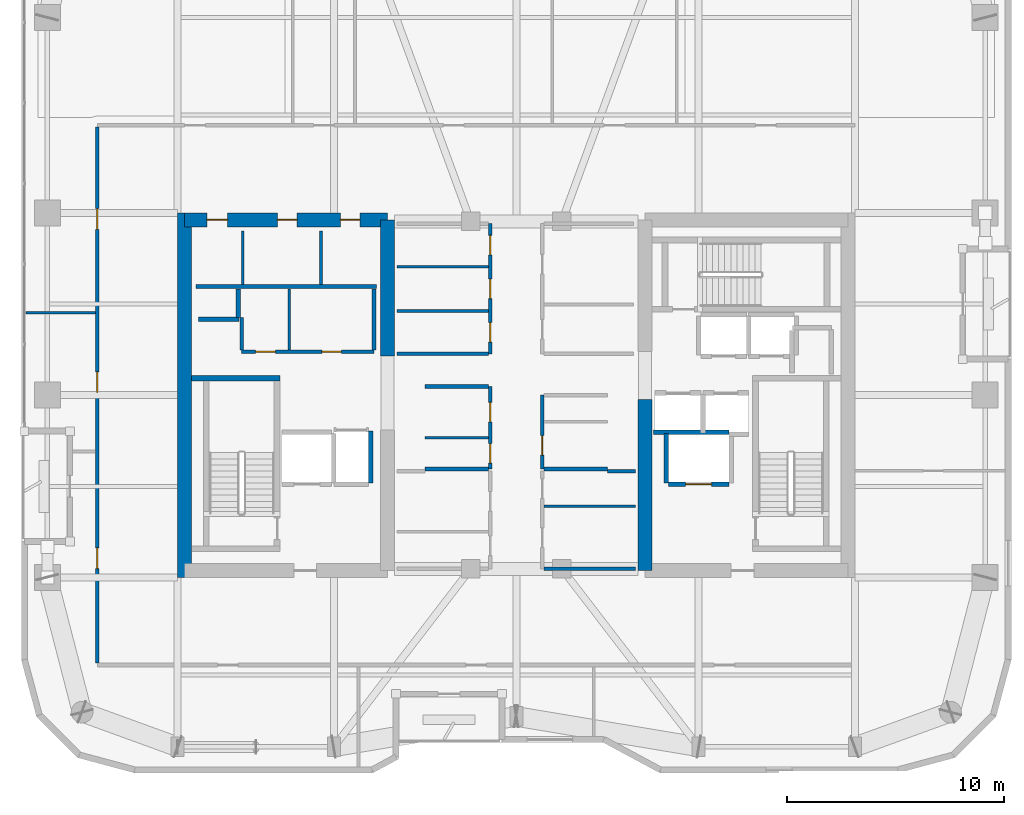
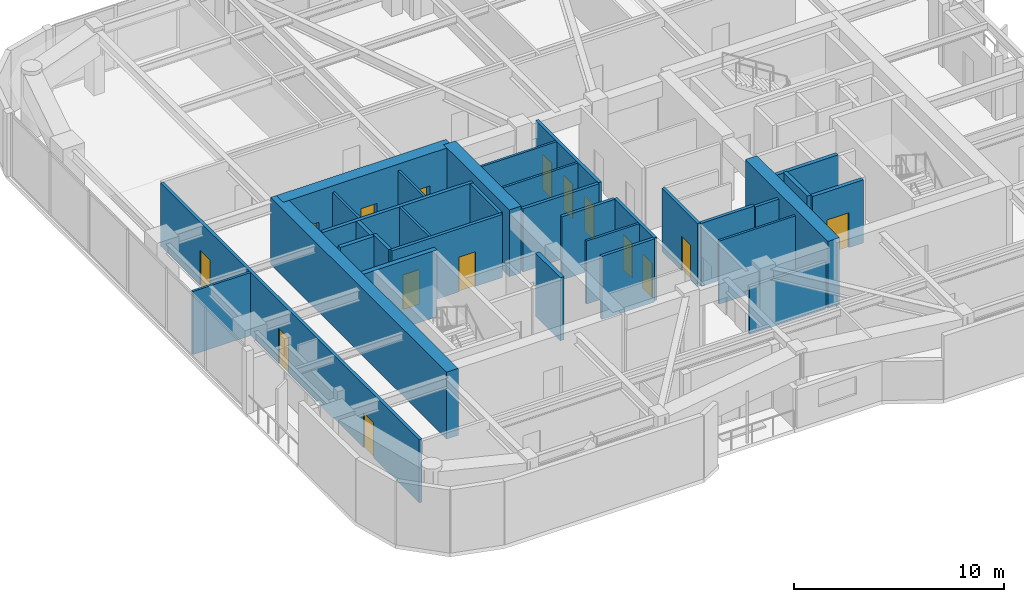
# One storey, part 16 of 21: 33 walls, 15 doors, 15 openings.
"""IFC4 building model written with IfcOpenShell, lengths in metres."""

from ifc_helpers import new_model, si_unit, direction, frame, frame_2d, origin, place, context, subcontext, project, spatial, rectangle, extrude, material, layer, layer_set, type_object, element, fill, save


model = new_model("IFC4")

# Units and contexts
model_context = context("Model", 3, precision=1e-05, world=origin(), true_north=direction((0.0, 1.0)))
body_context = subcontext(model_context, "Body", "Model", "MODEL_VIEW")
ifc_project = project(units=[si_unit("LENGTHUNIT", "METRE"), si_unit("AREAUNIT", "SQUARE_METRE"), si_unit("VOLUMEUNIT", "CUBIC_METRE"), si_unit("PLANEANGLEUNIT", "RADIAN"), si_unit("MASSUNIT", "GRAM", prefix="KILO")], contexts=[model_context])

# Site, building, storey
site_placement = place(None, origin())
site = spatial("IfcSite", under=ifc_project, at=site_placement, CompositionType="ELEMENT")
building_placement = place(site_placement, origin())
building = spatial("IfcBuilding", under=site, at=building_placement, Name="Kiyonajd Concourse Tower", CompositionType="ELEMENT")
storey_placement = place(building_placement, frame((0.0, 0.0, 223.199951171875)))
storey = spatial("IfcBuildingStorey", under=building, at=storey_placement, Name="L56", CompositionType="ELEMENT", Elevation=223.199951171875)

# Walls
ifc_material_1 = material(Name="Concrete C60/75", Category="concrete")
ifc_layer_1 = layer(ifc_material_1, 0.64990234375)
ifc_layer_set_1 = layer_set([ifc_layer_1], Name="Concrete C60/75")
wall_type_1 = type_object("IfcWallType", Name="WL-CORE-650", PredefinedType="SHEAR", material=ifc_layer_set_1)
wall_1_placement = place(storey_placement, frame((32.72509765625, 27.60009765625, 0.0), z_axis=(0.0, 0.0, 1.0), x_axis=(0.0, 1.0, 0.0)))
element("IfcWall", 1, at=wall_1_placement, inside=storey, type_object=wall_type_1, Name="L56 West Core Outer Shear Wall", PredefinedType="SHEAR", context=body_context, shape_type="SweptSolid", body=[
    extrude(rectangle(XDim=16.7998046875, YDim=0.64990234375, at=frame_2d((8.39990234375, 0.0))), origin(), (0.0, 0.0, 1.0), 3.900146484375),
])
wall_2_placement = place(storey_placement, frame((42.074951171875, 37.800048828125, 0.0), z_axis=(0.0, 0.0, 1.0), x_axis=(0.0, 1.0, 0.0)))
element("IfcWall", 2, at=wall_2_placement, inside=storey, type_object=wall_type_1, Name="L56 West Core Inner North Shear Wall", PredefinedType="SHEAR", context=body_context, shape_type="SweptSolid", body=[
    extrude(rectangle(XDim=6.27490234375, YDim=0.64990234375, at=frame_2d((3.137451171875, 0.0))), origin(), (0.0, 0.0, 1.0), 3.900146484375),
])

# Wall, openings, doors
wall_3_placement = place(storey_placement, frame((32.72509765625, 44.074951171875, 0.0), z_axis=(0.0, 0.0, 1.0), x_axis=(1.0, 0.0, 0.0)))
wall_3 = element("IfcWall", 3, at=wall_3_placement, inside=storey, type_object=wall_type_1, Name="L56 West Core North Shear Wall", PredefinedType="SHEAR", context=body_context, shape_type="SweptSolid", body=[
    extrude(rectangle(XDim=9.349853515625, YDim=0.64990234375, at=frame_2d((4.6748046875, 0.0))), origin(), (0.0, 0.0, 1.0), 3.900146484375),
])
opening_1_placement = place(wall_3_placement, frame((1.02490234375, 0.0, 0.0)))
opening_1 = element("IfcOpeningElement", 4, at=opening_1_placement, cuts=wall_3, Name="Opening DI1", PredefinedType="OPENING", context=body_context, shape_type="SweptSolid", body=[
    extrude(rectangle(XDim=0.949951171875, YDim=2.0400390625, at=frame_2d((0.47509765625, 1.02001953125))), frame((0.0, 0.3349609375, 0.0), z_axis=(0.0, -1.0, 0.0), x_axis=(1.0, 0.0, 0.0)), (0.0, 0.0, 1.0), 0.669921875),
])
opening_2_placement = place(wall_3_placement, frame((4.27490234375, 0.0, 0.0)))
opening_2 = element("IfcOpeningElement", 5, at=opening_2_placement, cuts=wall_3, Name="Opening DI2", PredefinedType="OPENING", context=body_context, shape_type="SweptSolid", body=[
    extrude(rectangle(XDim=0.89990234375, YDim=2.02001953125, at=frame_2d((0.449951171875, 1.010009765625))), frame((0.0, 0.3349609375, 0.0), z_axis=(0.0, -1.0, 0.0), x_axis=(1.0, 0.0, 0.0)), (0.0, 0.0, 1.0), 0.669921875),
])
opening_3_placement = place(wall_3_placement, frame((7.175048828125, 0.0, 0.0)))
opening_3 = element("IfcOpeningElement", 6, at=opening_3_placement, cuts=wall_3, Name="Opening DI2", PredefinedType="OPENING", context=body_context, shape_type="SweptSolid", body=[
    extrude(rectangle(XDim=0.89990234375, YDim=2.02001953125, at=frame_2d((0.449951171875, 1.010009765625))), frame((0.0, 0.3349609375, 0.0), z_axis=(0.0, -1.0, 0.0), x_axis=(1.0, 0.0, 0.0)), (0.0, 0.0, 1.0), 0.669921875),
])
ifc_material_2 = material(Name="Natural Oak Acoustic Timber Veneer", Category="wood")
door_type_1 = type_object("IfcDoorType", Name="DR-INT-900", OperationType="NOTDEFINED", PredefinedType="DOOR", material=ifc_material_2)
door_1_placement = place(opening_2_placement, origin())
door_1 = element("IfcDoor", 7, at=door_1_placement, inside=storey, type_object=door_type_1, Name="L56 Male Restroom Door", OperationType="SINGLE_SWING_RIGHT", OverallHeight=2.02001953125, OverallWidth=0.89990234375, PredefinedType="DOOR", context=body_context, shape_type="SweptSolid", body=[
    extrude(rectangle(XDim=0.89990234375, YDim=2.02001953125, at=frame_2d((0.449951171875, 1.010009765625))), frame((0.0, 0.02490234375, 0.0), z_axis=(0.0, -1.0, 0.0), x_axis=(1.0, 0.0, 0.0)), (0.0, 0.0, 1.0), 0.050048828125),
])
fill(opening_2, door_1)
door_2_placement = place(opening_3_placement, origin())
door_2 = element("IfcDoor", 8, at=door_2_placement, inside=storey, type_object=door_type_1, Name="L56 Female Restroom Door", OperationType="SINGLE_SWING_LEFT", OverallHeight=2.02001953125, OverallWidth=0.89990234375, PredefinedType="DOOR", context=body_context, shape_type="SweptSolid", body=[
    extrude(rectangle(XDim=0.89990234375, YDim=2.02001953125, at=frame_2d((0.449951171875, 1.010009765625))), frame((0.0, 0.02490234375, 0.0), z_axis=(0.0, -1.0, 0.0), x_axis=(1.0, 0.0, 0.0)), (0.0, 0.0, 1.0), 0.050048828125),
])
fill(opening_3, door_2)
door_type_2 = type_object("IfcDoorType", Name="DR-INT-950", OperationType="NOTDEFINED", PredefinedType="DOOR", material=ifc_material_2)
door_3_placement = place(opening_1_placement, origin())
door_3 = element("IfcDoor", 9, at=door_3_placement, inside=storey, type_object=door_type_2, Name="L56 Single User Accessible WC Door", OperationType="SINGLE_SWING_LEFT", OverallHeight=2.0400390625, OverallWidth=0.949951171875, PredefinedType="DOOR", context=body_context, shape_type="SweptSolid", body=[
    extrude(rectangle(XDim=0.949951171875, YDim=2.0400390625, at=frame_2d((0.47509765625, 1.02001953125))), frame((0.0, 0.02490234375, 0.0), z_axis=(0.0, -1.0, 0.0), x_axis=(1.0, 0.0, 0.0)), (0.0, 0.0, 1.0), 0.050048828125),
])
fill(opening_1, door_3)

# Walls
wall_4_placement = place(storey_placement, frame((53.925048828125, 27.925048828125, 0.0), z_axis=(0.0, 0.0, 1.0), x_axis=(0.0, 1.0, 0.0)))
element("IfcWall", 10, at=wall_4_placement, inside=storey, type_object=wall_type_1, Name="L56 East Core Inner South Shear Wall", PredefinedType="SHEAR", context=body_context, shape_type="SweptSolid", body=[
    extrude(rectangle(XDim=7.875, YDim=0.64990234375, at=frame_2d((3.9375, 0.0))), origin(), (0.0, 0.0, 1.0), 3.900146484375),
])
ifc_material_3 = material(Name="Gypsum Board on Cold-Formed Steel Stud", Category="steel")
ifc_layer_2 = layer(ifc_material_3, 0.125)
ifc_layer_set_2 = layer_set([ifc_layer_2], Name="Gypsum Board on Cold-Formed Steel Stud")
wall_type_2 = type_object("IfcWallType", Name="WL-PART-125", PredefinedType="PARTITIONING", material=ifc_layer_set_2)
for number, where, z_axis, x_axis, name in (
    (11, (35.39990234375, 41.094970703125, 0.0), (0.0, 0.0, 1.0), (0.0, 1.0, 0.0), "L56 Interior Partition Wall"),
    (12, (39.0, 41.094970703125, 0.0), (0.0, 0.0, 1.0), (0.0, 1.0, 0.0), "L56 Interior Partition Wall"),
):
    element("IfcWall", number, at=place(storey_placement, frame(where, z_axis=z_axis, x_axis=x_axis)), inside=storey, type_object=wall_type_2, Name=name, PredefinedType="PARTITIONING", context=body_context, shape_type="SweptSolid", body=[
        extrude(rectangle(XDim=2.455078125, YDim=0.125, at=frame_2d((1.2275390625, 0.0))), origin(), (0.0, 0.0, 1.0), 3.679931640625),
    ])
wall_5_placement = place(storey_placement, frame((37.5458984375, 38.0869140625, 0.0), z_axis=(0.0, 0.0, 1.0), x_axis=(0.0, 1.0, 0.0)))
element("IfcWall", 13, at=wall_5_placement, inside=storey, type_object=wall_type_2, Name="L56 Interior Partition Wall", PredefinedType="PARTITIONING", context=body_context, shape_type="SweptSolid", body=[
    extrude(rectangle(XDim=2.81298828125, YDim=0.125, at=frame_2d((1.406494140625, 0.0))), origin(), (0.0, 0.0, 1.0), 3.679931640625),
])
wall_6_placement = place(storey_placement, frame((43.800048828125, 34.0439453125, 0.0), z_axis=(0.0, 0.0, 1.0), x_axis=(1.0, 0.0, 0.0)))
element("IfcWall", 14, at=wall_6_placement, inside=storey, type_object=wall_type_2, Name="L56 Interior Partition Wall", PredefinedType="PARTITIONING", context=body_context, shape_type="SweptSolid", body=[
    extrude(rectangle(XDim=2.912841796875, YDim=0.125, at=frame_2d((1.45654296875, 0.0))), origin(), (0.0, 0.0, 1.0), 3.679931640625),
])
for number, where, z_axis, x_axis, name in (
    (15, (49.287109375, 30.8798828125, 0.0), (0.0, 0.0, 1.0), (1.0, 0.0, 0.0), "L56 Interior Partition Wall"),
    (16, (42.5, 39.8798828125, 0.0), (0.0, 0.0, 1.0), (1.0, 0.0, 0.0), "L56 Interior Partition Wall"),
    (17, (42.5, 41.919921875, 0.0), (0.0, 0.0, 1.0), (1.0, 0.0, 0.0), "L56 Interior Partition Wall"),
):
    element("IfcWall", number, at=place(storey_placement, frame(where, z_axis=z_axis, x_axis=x_axis)), inside=storey, type_object=wall_type_2, Name=name, PredefinedType="PARTITIONING", context=body_context, shape_type="SweptSolid", body=[
        extrude(rectangle(XDim=4.212890625, YDim=0.125, at=frame_2d((2.1064453125, 0.0))), origin(), (0.0, 0.0, 1.0), 3.679931640625),
    ])
wall_7_placement = place(storey_placement, frame((25.425048828125, 39.800048828125, 0.0), z_axis=(0.0, 0.0, 1.0), x_axis=(1.0, 0.0, 0.0)))
element("IfcWall", 18, at=wall_7_placement, inside=storey, type_object=wall_type_2, Name="L56 Interior Partition Wall", PredefinedType="PARTITIONING", context=body_context, shape_type="SweptSolid", body=[
    extrude(rectangle(XDim=3.18798828125, YDim=0.125, at=frame_2d((1.593994140625, 0.0))), origin(), (0.0, 0.0, 1.0), 3.679931640625),
])
ifc_layer_3 = layer(ifc_material_3, 0.18994140625)
ifc_layer_set_3 = layer_set([ifc_layer_3], Name="Gypsum Board on Cold-Formed Steel Stud")
wall_type_3 = type_object("IfcWallType", Name="WL-PLMB-190", PredefinedType="PLUMBINGWALL", material=ifc_layer_set_3)
wall_8_placement = place(storey_placement, frame((33.25, 41.0, 0.0), z_axis=(0.0, 0.0, 1.0), x_axis=(1.0, 0.0, 0.0)))
element("IfcWall", 19, at=wall_8_placement, inside=storey, type_object=wall_type_3, Name="L56 Interior Partition Wall", PredefinedType="PLUMBINGWALL", context=body_context, shape_type="SweptSolid", body=[
    extrude(rectangle(XDim=8.300048828125, YDim=0.18994140625, at=frame_2d((4.14990234375, 0.0))), origin(), (0.0, 0.0, 1.0), 3.679931640625),
])
ifc_layer_4 = layer(ifc_material_3, 0.2099609375)
ifc_layer_set_4 = layer_set([ifc_layer_4], Name="Gypsum Board on Cold-Formed Steel Stud")
wall_type_4 = type_object("IfcWallType", Name="WL-SHAFT-210", PredefinedType="PARTITIONING", material=ifc_layer_set_4)
wall_9_placement = place(storey_placement, frame((33.360107421875, 39.5, 0.0), z_axis=(0.0, 0.0, 1.0), x_axis=(1.0, 0.0, 0.0)))
element("IfcWall", 20, at=wall_9_placement, inside=storey, type_object=wall_type_4, Name="L56 Shaft Enclosure Wall", PredefinedType="PARTITIONING", context=body_context, shape_type="SweptSolid", body=[
    extrude(rectangle(XDim=1.85986328125, YDim=0.2099609375, at=frame_2d((0.929931640625, 0.0))), origin(), (0.0, 0.0, 1.0), 3.679931640625),
])
wall_10_placement = place(storey_placement, frame((35.199951171875, 39.580078125, 0.0), z_axis=(0.0, 0.0, 1.0), x_axis=(0.0, 1.0, 0.0)))
element("IfcWall", 21, at=wall_10_placement, inside=storey, type_object=wall_type_4, Name="L56 Shaft Enclosure Wall", PredefinedType="PARTITIONING", context=body_context, shape_type="SweptSolid", body=[
    extrude(rectangle(XDim=1.31982421875, YDim=0.2099609375, at=frame_2d((0.659912109375, 0.0))), origin(), (0.0, 0.0, 1.0), 3.679931640625),
])

# Wall, opening, door
wall_11_placement = place(storey_placement, frame((55.0, 31.89990234375, 0.0), z_axis=(0.0, 0.0, 1.0), x_axis=(1.0, 0.0, 0.0)))
wall_11 = element("IfcWall", 22, at=wall_11_placement, inside=storey, type_object=wall_type_4, Name="L56 Shaft Enclosure Wall", PredefinedType="PARTITIONING", context=body_context, shape_type="SweptSolid", body=[
    extrude(rectangle(XDim=2.800048828125, YDim=0.2099609375, at=frame_2d((1.39990234375, 0.0))), origin(), (0.0, 0.0, 1.0), 3.679931640625),
])
opening_4_placement = place(wall_11_placement, frame((0.800048828125, 0.0, 0.0)))
opening_4 = element("IfcOpeningElement", 23, at=opening_4_placement, cuts=wall_11, Name="Opening LD2", PredefinedType="OPENING", context=body_context, shape_type="SweptSolid", body=[
    extrude(rectangle(XDim=1.199951171875, YDim=2.0400390625, at=frame_2d((0.60009765625, 1.02001953125))), frame((0.0, 0.114990234375, 0.0), z_axis=(0.0, -1.0, 0.0), x_axis=(1.0, 0.0, 0.0)), (0.0, 0.0, 1.0), 0.22998046875),
])
ifc_material_4 = material(Name="Brushed Stainless Steel Cab Assembly", Category="steel")
door_type_3 = type_object("IfcDoorType", Name="DR-LD-1200", OperationType="DOUBLE_DOOR_SLIDING", PredefinedType="DOOR", material=ifc_material_4)
door_4_placement = place(opening_4_placement, origin())
door_4 = element("IfcDoor", 24, at=door_4_placement, inside=storey, type_object=door_type_3, Name="L56 Lift FFL2 Sliding Landing Door", OperationType="DOUBLE_DOOR_SLIDING", OverallHeight=2.0400390625, OverallWidth=1.199951171875, PredefinedType="DOOR", context=body_context, shape_type="SweptSolid", body=[
    extrude(rectangle(XDim=1.199951171875, YDim=2.0400390625, at=frame_2d((0.60009765625, 1.02001953125))), frame((0.0, 0.02490234375, 0.0), z_axis=(0.0, -1.0, 0.0), x_axis=(1.0, 0.0, 0.0)), (0.0, 0.0, 1.0), 0.050048828125),
])
fill(opening_4, door_4)

# Walls
wall_12_placement = place(storey_placement, frame((54.320068359375, 34.300048828125, 0.0), z_axis=(0.0, 0.0, 1.0), x_axis=(1.0, 0.0, 0.0)))
element("IfcWall", 25, at=wall_12_placement, inside=storey, type_object=wall_type_4, Name="L56 Shaft Enclosure Wall", PredefinedType="PARTITIONING", context=body_context, shape_type="SweptSolid", body=[
    extrude(rectangle(XDim=3.47998046875, YDim=0.2099609375, at=frame_2d((1.739990234375, 0.0))), origin(), (0.0, 0.0, 1.0), 3.679931640625),
])
wall_13_placement = place(storey_placement, frame((54.89990234375, 31.9599609375, 0.0), z_axis=(0.0, 0.0, 1.0), x_axis=(0.0, 1.0, 0.0)))
element("IfcWall", 26, at=wall_13_placement, inside=storey, type_object=wall_type_4, Name="L56 Shaft Enclosure Wall", PredefinedType="PARTITIONING", context=body_context, shape_type="SweptSolid", body=[
    extrude(rectangle(XDim=2.280029296875, YDim=0.2099609375, at=frame_2d((1.14013671875, 0.0))), origin(), (0.0, 0.0, 1.0), 3.679931640625),
])
wall_14_placement = place(storey_placement, frame((41.300048828125, 31.9599609375, 0.0), z_axis=(0.0, 0.0, 1.0), x_axis=(0.0, 1.0, 0.0)))
element("IfcWall", 27, at=wall_14_placement, inside=storey, type_object=wall_type_4, Name="L56 Shaft Enclosure Wall", PredefinedType="PARTITIONING", context=body_context, shape_type="SweptSolid", body=[
    extrude(rectangle(XDim=2.380126953125, YDim=0.2099609375, at=frame_2d((1.18994140625, 0.0))), origin(), (0.0, 0.0, 1.0), 3.679931640625),
])

# Wall, openings, doors
ifc_layer_5 = layer(ifc_material_3, 0.169921875)
ifc_layer_set_5 = layer_set([ifc_layer_5], Name="Gypsum Board on Cold-Formed Steel Stud")
wall_type_5 = type_object("IfcWallType", Name="WL-SMK-170", PredefinedType="PARTITIONING", material=ifc_layer_set_5)
wall_15_placement = place(storey_placement, frame((35.35009765625, 38.0, 0.0), z_axis=(0.0, 0.0, 1.0), x_axis=(1.0, 0.0, 0.0)))
wall_15 = element("IfcWall", 28, at=wall_15_placement, inside=storey, type_object=wall_type_5, Name="L56 Interior Partition Wall", PredefinedType="PARTITIONING", context=body_context, shape_type="SweptSolid", body=[
    extrude(rectangle(XDim=6.099853515625, YDim=0.169921875, at=frame_2d((3.0498046875, 0.0))), origin(), (0.0, 0.0, 1.0), 3.679931640625),
])
opening_5_placement = place(wall_15_placement, frame((0.64794921875, 0.0, 0.0)))
opening_5 = element("IfcOpeningElement", 29, at=opening_5_placement, cuts=wall_15, Name="Opening DI2", PredefinedType="OPENING", context=body_context, shape_type="SweptSolid", body=[
    extrude(rectangle(XDim=0.89990234375, YDim=2.02001953125, at=frame_2d((0.449951171875, 1.010009765625))), frame((0.0, 0.094970703125, 0.0), z_axis=(0.0, -1.0, 0.0), x_axis=(1.0, 0.0, 0.0)), (0.0, 0.0, 1.0), 0.18994140625),
])
opening_6_placement = place(wall_15_placement, frame((3.697998046875, 0.0, 0.0)))
opening_6 = element("IfcOpeningElement", 30, at=opening_6_placement, cuts=wall_15, Name="Opening DI2", PredefinedType="OPENING", context=body_context, shape_type="SweptSolid", body=[
    extrude(rectangle(XDim=0.89990234375, YDim=2.02001953125, at=frame_2d((0.449951171875, 1.010009765625))), frame((0.0, 0.094970703125, 0.0), z_axis=(0.0, -1.0, 0.0), x_axis=(1.0, 0.0, 0.0)), (0.0, 0.0, 1.0), 0.18994140625),
])
door_5_placement = place(opening_5_placement, origin())
door_5 = element("IfcDoor", 31, at=door_5_placement, inside=storey, type_object=door_type_1, Name="L56 Interior Door", OperationType="SINGLE_SWING_RIGHT", OverallHeight=2.02001953125, OverallWidth=0.89990234375, PredefinedType="DOOR", context=body_context, shape_type="SweptSolid", body=[
    extrude(rectangle(XDim=0.89990234375, YDim=2.02001953125, at=frame_2d((0.449951171875, 1.010009765625))), frame((0.0, 0.02490234375, 0.0), z_axis=(0.0, -1.0, 0.0), x_axis=(1.0, 0.0, 0.0)), (0.0, 0.0, 1.0), 0.050048828125),
])
fill(opening_5, door_5)
door_6_placement = place(opening_6_placement, origin())
door_6 = element("IfcDoor", 32, at=door_6_placement, inside=storey, type_object=door_type_1, Name="L56 Interior Door", OperationType="SINGLE_SWING_LEFT", OverallHeight=2.02001953125, OverallWidth=0.89990234375, PredefinedType="DOOR", context=body_context, shape_type="SweptSolid", body=[
    extrude(rectangle(XDim=0.89990234375, YDim=2.02001953125, at=frame_2d((0.449951171875, 1.010009765625))), frame((0.0, 0.02490234375, 0.0), z_axis=(0.0, -1.0, 0.0), x_axis=(1.0, 0.0, 0.0)), (0.0, 0.0, 1.0), 0.050048828125),
])
fill(opening_6, door_6)

# Walls
wall_16_placement = place(storey_placement, frame((35.35009765625, 38.0869140625, 0.0), z_axis=(0.0, 0.0, 1.0), x_axis=(0.0, 1.0, 0.0)))
element("IfcWall", 33, at=wall_16_placement, inside=storey, type_object=wall_type_5, Name="L56 Interior Partition Wall", PredefinedType="PARTITIONING", context=body_context, shape_type="SweptSolid", body=[
    extrude(rectangle(XDim=1.4931640625, YDim=0.169921875, at=frame_2d((0.74658203125, 0.0))), origin(), (0.0, 0.0, 1.0), 3.679931640625),
])
wall_17_placement = place(storey_placement, frame((41.449951171875, 38.0869140625, 0.0), z_axis=(0.0, 0.0, 1.0), x_axis=(0.0, 1.0, 0.0)))
element("IfcWall", 34, at=wall_17_placement, inside=storey, type_object=wall_type_5, Name="L56 Interior Partition Wall", PredefinedType="PARTITIONING", context=body_context, shape_type="SweptSolid", body=[
    extrude(rectangle(XDim=2.81298828125, YDim=0.169921875, at=frame_2d((1.406494140625, 0.0))), origin(), (0.0, 0.0, 1.0), 3.679931640625),
])

# Wall, openings, doors
wall_18_placement = place(storey_placement, frame((46.800048828125, 32.60009765625, 0.0), z_axis=(0.0, 0.0, 1.0), x_axis=(0.0, 1.0, 0.0)))
wall_18 = element("IfcWall", 35, at=wall_18_placement, inside=storey, type_object=wall_type_5, Name="L56 Interior Partition Wall", PredefinedType="PARTITIONING", context=body_context, shape_type="SweptSolid", body=[
    extrude(rectangle(XDim=3.7998046875, YDim=0.169921875, at=frame_2d((1.89990234375, 0.0))), origin(), (0.0, 0.0, 1.0), 3.679931640625),
])
opening_7_placement = place(wall_18_placement, frame((0.27197265625, 0.0, 0.0)))
opening_7 = element("IfcOpeningElement", 36, at=opening_7_placement, cuts=wall_18, Name="Opening DI2", PredefinedType="OPENING", context=body_context, shape_type="SweptSolid", body=[
    extrude(rectangle(XDim=0.89990234375, YDim=2.02001953125, at=frame_2d((0.449951171875, 1.010009765625))), frame((0.0, 0.094970703125, 0.0), z_axis=(0.0, -1.0, 0.0), x_axis=(1.0, 0.0, 0.0)), (0.0, 0.0, 1.0), 0.18994140625),
])
opening_8_placement = place(wall_18_placement, frame((2.172119140625, 0.0, 0.0)))
opening_8 = element("IfcOpeningElement", 37, at=opening_8_placement, cuts=wall_18, Name="Opening DI2", PredefinedType="OPENING", context=body_context, shape_type="SweptSolid", body=[
    extrude(rectangle(XDim=0.89990234375, YDim=2.02001953125, at=frame_2d((0.449951171875, 1.010009765625))), frame((0.0, 0.094970703125, 0.0), z_axis=(0.0, -1.0, 0.0), x_axis=(1.0, 0.0, 0.0)), (0.0, 0.0, 1.0), 0.18994140625),
])
door_7_placement = place(opening_7_placement, origin())
door_7 = element("IfcDoor", 38, at=door_7_placement, inside=storey, type_object=door_type_1, Name="L56 Interior Door", OperationType="SINGLE_SWING_RIGHT", OverallHeight=2.02001953125, OverallWidth=0.89990234375, PredefinedType="DOOR", context=body_context, shape_type="SweptSolid", body=[
    extrude(rectangle(XDim=0.89990234375, YDim=2.02001953125, at=frame_2d((0.449951171875, 1.010009765625))), frame((0.0, 0.02490234375, 0.0), z_axis=(0.0, -1.0, 0.0), x_axis=(1.0, 0.0, 0.0)), (0.0, 0.0, 1.0), 0.050048828125),
])
fill(opening_7, door_7)
door_8_placement = place(opening_8_placement, origin())
door_8 = element("IfcDoor", 39, at=door_8_placement, inside=storey, type_object=door_type_1, Name="L56 Interior Door", OperationType="SINGLE_SWING_LEFT", OverallHeight=2.02001953125, OverallWidth=0.89990234375, PredefinedType="DOOR", context=body_context, shape_type="SweptSolid", body=[
    extrude(rectangle(XDim=0.89990234375, YDim=2.02001953125, at=frame_2d((0.449951171875, 1.010009765625))), frame((0.0, 0.02490234375, 0.0), z_axis=(0.0, -1.0, 0.0), x_axis=(1.0, 0.0, 0.0)), (0.0, 0.0, 1.0), 0.050048828125),
])
fill(opening_8, door_8)

# Walls
for number, where, z_axis, x_axis, name in (
    (40, (43.800048828125, 32.60009765625, 0.0), (0.0, 0.0, 1.0), (1.0, 0.0, 0.0), "L56 Interior Partition Wall"),
    (41, (43.800048828125, 36.39990234375, 0.0), (0.0, 0.0, 1.0), (1.0, 0.0, 0.0), "L56 Interior Partition Wall"),
):
    element("IfcWall", number, at=place(storey_placement, frame(where, z_axis=z_axis, x_axis=x_axis)), inside=storey, type_object=wall_type_5, Name=name, PredefinedType="PARTITIONING", context=body_context, shape_type="SweptSolid", body=[
        extrude(rectangle(XDim=2.912841796875, YDim=0.169921875, at=frame_2d((1.45654296875, 0.0))), origin(), (0.0, 0.0, 1.0), 3.679931640625),
    ])

# Wall, opening, door
wall_19_placement = place(storey_placement, frame((49.199951171875, 32.60009765625, 0.0), z_axis=(0.0, 0.0, 1.0), x_axis=(0.0, 1.0, 0.0)))
wall_19 = element("IfcWall", 42, at=wall_19_placement, inside=storey, type_object=wall_type_5, Name="L56 Interior Partition Wall", PredefinedType="PARTITIONING", context=body_context, shape_type="SweptSolid", body=[
    extrude(rectangle(XDim=3.39990234375, YDim=0.169921875, at=frame_2d((1.699951171875, 0.0))), origin(), (0.0, 0.0, 1.0), 3.679931640625),
])
opening_9_placement = place(wall_19_placement, frame((0.637939453125, 0.0, 0.0)))
opening_9 = element("IfcOpeningElement", 43, at=opening_9_placement, cuts=wall_19, Name="Opening DF4", PredefinedType="OPENING", context=body_context, shape_type="SweptSolid", body=[
    extrude(rectangle(XDim=0.89990234375, YDim=2.02001953125, at=frame_2d((0.449951171875, 1.010009765625))), frame((0.0, 0.094970703125, 0.0), z_axis=(0.0, -1.0, 0.0), x_axis=(1.0, 0.0, 0.0)), (0.0, 0.0, 1.0), 0.18994140625),
])
door_type_4 = type_object("IfcDoorType", Name="DR-FD60-900", OperationType="NOTDEFINED", PredefinedType="DOOR", material=ifc_material_4)
door_9_placement = place(opening_9_placement, origin())
door_9 = element("IfcDoor", 44, at=door_9_placement, inside=storey, type_object=door_type_4, Name="L56 Interior Door", OperationType="SINGLE_SWING_RIGHT", OverallHeight=2.02001953125, OverallWidth=0.89990234375, PredefinedType="DOOR", context=body_context, shape_type="SweptSolid", body=[
    extrude(rectangle(XDim=0.89990234375, YDim=2.02001953125, at=frame_2d((0.449951171875, 1.010009765625))), frame((0.0, 0.02490234375, 0.0), z_axis=(0.0, -1.0, 0.0), x_axis=(1.0, 0.0, 0.0)), (0.0, 0.0, 1.0), 0.050048828125),
])
fill(opening_9, door_9)

# Walls
wall_20_placement = place(storey_placement, frame((49.287109375, 32.60009765625, 0.0), z_axis=(0.0, 0.0, 1.0), x_axis=(1.0, 0.0, 0.0)))
element("IfcWall", 45, at=wall_20_placement, inside=storey, type_object=wall_type_5, Name="L56 Interior Partition Wall", PredefinedType="PARTITIONING", context=body_context, shape_type="SweptSolid", body=[
    extrude(rectangle(XDim=2.912841796875, YDim=0.169921875, at=frame_2d((1.45654296875, 0.0))), origin(), (0.0, 0.0, 1.0), 3.679931640625),
])
wall_21_placement = place(storey_placement, frame((49.287109375, 28.0, 0.0), z_axis=(0.0, 0.0, 1.0), x_axis=(1.0, 0.0, 0.0)))
element("IfcWall", 46, at=wall_21_placement, inside=storey, type_object=wall_type_5, Name="L56 Interior Partition Wall", PredefinedType="PARTITIONING", context=body_context, shape_type="SweptSolid", body=[
    extrude(rectangle(XDim=4.212890625, YDim=0.169921875, at=frame_2d((2.1064453125, 0.0))), origin(), (0.0, 0.0, 1.0), 2.76513671875),
])
wall_22_placement = place(storey_placement, frame((52.199951171875, 32.5, 0.0), z_axis=(0.0, 0.0, 1.0), x_axis=(1.0, 0.0, 0.0)))
element("IfcWall", 47, at=wall_22_placement, inside=storey, type_object=wall_type_5, Name="L56 Interior Partition Wall", PredefinedType="PARTITIONING", context=body_context, shape_type="SweptSolid", body=[
    extrude(rectangle(XDim=1.300048828125, YDim=0.169921875, at=frame_2d((0.64990234375, 0.0))), origin(), (0.0, 0.0, 1.0), 3.679931640625),
])

# Wall, openings, doors
wall_23_placement = place(storey_placement, frame((46.800048828125, 37.89990234375, 0.0), z_axis=(0.0, 0.0, 1.0), x_axis=(0.0, 1.0, 0.0)))
wall_23 = element("IfcWall", 48, at=wall_23_placement, inside=storey, type_object=wall_type_5, Name="L56 Interior Partition Wall", PredefinedType="PARTITIONING", context=body_context, shape_type="SweptSolid", body=[
    extrude(rectangle(XDim=6.0, YDim=0.169921875, at=frame_2d((3.0, 0.0))), origin(), (0.0, 0.0, 1.0), 3.679931640625),
])
opening_10_placement = place(wall_23_placement, frame((0.5400390625, 0.0, 0.0)))
opening_10 = element("IfcOpeningElement", 49, at=opening_10_placement, cuts=wall_23, Name="Opening DI2", PredefinedType="OPENING", context=body_context, shape_type="SweptSolid", body=[
    extrude(rectangle(XDim=0.89990234375, YDim=2.02001953125, at=frame_2d((0.449951171875, 1.010009765625))), frame((0.0, 0.094970703125, 0.0), z_axis=(0.0, -1.0, 0.0), x_axis=(1.0, 0.0, 0.0)), (0.0, 0.0, 1.0), 0.18994140625),
])
opening_11_placement = place(wall_23_placement, frame((2.550048828125, 0.0, 0.0)))
opening_11 = element("IfcOpeningElement", 50, at=opening_11_placement, cuts=wall_23, Name="Opening DI2", PredefinedType="OPENING", context=body_context, shape_type="SweptSolid", body=[
    extrude(rectangle(XDim=0.89990234375, YDim=2.02001953125, at=frame_2d((0.449951171875, 1.010009765625))), frame((0.0, 0.094970703125, 0.0), z_axis=(0.0, -1.0, 0.0), x_axis=(1.0, 0.0, 0.0)), (0.0, 0.0, 1.0), 0.18994140625),
])
opening_12_placement = place(wall_23_placement, frame((4.56005859375, 0.0, 0.0)))
opening_12 = element("IfcOpeningElement", 51, at=opening_12_placement, cuts=wall_23, Name="Opening DI2", PredefinedType="OPENING", context=body_context, shape_type="SweptSolid", body=[
    extrude(rectangle(XDim=0.89990234375, YDim=2.02001953125, at=frame_2d((0.449951171875, 1.010009765625))), frame((0.0, 0.094970703125, 0.0), z_axis=(0.0, -1.0, 0.0), x_axis=(1.0, 0.0, 0.0)), (0.0, 0.0, 1.0), 0.18994140625),
])
door_10_placement = place(opening_10_placement, origin())
door_10 = element("IfcDoor", 52, at=door_10_placement, inside=storey, type_object=door_type_1, Name="L56 Interior Door", OperationType="SINGLE_SWING_LEFT", OverallHeight=2.02001953125, OverallWidth=0.89990234375, PredefinedType="DOOR", context=body_context, shape_type="SweptSolid", body=[
    extrude(rectangle(XDim=0.89990234375, YDim=2.02001953125, at=frame_2d((0.449951171875, 1.010009765625))), frame((0.0, 0.02490234375, 0.0), z_axis=(0.0, -1.0, 0.0), x_axis=(1.0, 0.0, 0.0)), (0.0, 0.0, 1.0), 0.050048828125),
])
fill(opening_10, door_10)
door_11_placement = place(opening_11_placement, origin())
door_11 = element("IfcDoor", 53, at=door_11_placement, inside=storey, type_object=door_type_1, Name="L56 Interior Door", OperationType="SINGLE_SWING_RIGHT", OverallHeight=2.02001953125, OverallWidth=0.89990234375, PredefinedType="DOOR", context=body_context, shape_type="SweptSolid", body=[
    extrude(rectangle(XDim=0.89990234375, YDim=2.02001953125, at=frame_2d((0.449951171875, 1.010009765625))), frame((0.0, 0.02490234375, 0.0), z_axis=(0.0, -1.0, 0.0), x_axis=(1.0, 0.0, 0.0)), (0.0, 0.0, 1.0), 0.050048828125),
])
fill(opening_11, door_11)
door_12_placement = place(opening_12_placement, origin())
door_12 = element("IfcDoor", 54, at=door_12_placement, inside=storey, type_object=door_type_1, Name="L56 Interior Door", OperationType="SINGLE_SWING_LEFT", OverallHeight=2.02001953125, OverallWidth=0.89990234375, PredefinedType="DOOR", context=body_context, shape_type="SweptSolid", body=[
    extrude(rectangle(XDim=0.89990234375, YDim=2.02001953125, at=frame_2d((0.449951171875, 1.010009765625))), frame((0.0, 0.02490234375, 0.0), z_axis=(0.0, -1.0, 0.0), x_axis=(1.0, 0.0, 0.0)), (0.0, 0.0, 1.0), 0.050048828125),
])
fill(opening_12, door_12)

# Wall
wall_24_placement = place(storey_placement, frame((42.5, 37.89990234375, 0.0), z_axis=(0.0, 0.0, 1.0), x_axis=(1.0, 0.0, 0.0)))
element("IfcWall", 55, at=wall_24_placement, inside=storey, type_object=wall_type_5, Name="L56 Interior Partition Wall", PredefinedType="PARTITIONING", context=body_context, shape_type="SweptSolid", body=[
    extrude(rectangle(XDim=4.212890625, YDim=0.169921875, at=frame_2d((2.1064453125, 0.0))), origin(), (0.0, 0.0, 1.0), 3.679931640625),
])

# Wall, openings, doors
wall_25_placement = place(storey_placement, frame((28.699951171875, 23.656982421875, 0.0), z_axis=(0.0, 0.0, 1.0), x_axis=(0.0, 1.0, 0.0)))
wall_25 = element("IfcWall", 56, at=wall_25_placement, inside=storey, type_object=wall_type_5, Name="L56 Interior Partition Wall", PredefinedType="PARTITIONING", context=body_context, shape_type="SweptSolid", body=[
    extrude(rectangle(XDim=24.68603515625, YDim=0.169921875, at=frame_2d((12.343017578125, 0.0))), origin(), (0.0, 0.0, 1.0), 3.679931640625),
])
opening_13_placement = place(wall_25_placement, frame((4.35302734375, 0.0, 0.0)))
opening_13 = element("IfcOpeningElement", 57, at=opening_13_placement, cuts=wall_25, Name="Opening DI1", PredefinedType="OPENING", context=body_context, shape_type="SweptSolid", body=[
    extrude(rectangle(XDim=0.949951171875, YDim=2.0400390625, at=frame_2d((0.47509765625, 1.02001953125))), frame((0.0, 0.094970703125, 0.0), z_axis=(0.0, -1.0, 0.0), x_axis=(1.0, 0.0, 0.0)), (0.0, 0.0, 1.0), 0.18994140625),
])
opening_14_placement = place(wall_25_placement, frame((12.468017578125, 0.0, 0.0)))
opening_14 = element("IfcOpeningElement", 58, at=opening_14_placement, cuts=wall_25, Name="Opening DI1", PredefinedType="OPENING", context=body_context, shape_type="SweptSolid", body=[
    extrude(rectangle(XDim=0.949951171875, YDim=2.0400390625, at=frame_2d((0.47509765625, 1.02001953125))), frame((0.0, 0.094970703125, 0.0), z_axis=(0.0, -1.0, 0.0), x_axis=(1.0, 0.0, 0.0)), (0.0, 0.0, 1.0), 0.18994140625),
])
opening_15_placement = place(wall_25_placement, frame((19.98291015625, 0.0, 0.0)))
opening_15 = element("IfcOpeningElement", 59, at=opening_15_placement, cuts=wall_25, Name="Opening DI1", PredefinedType="OPENING", context=body_context, shape_type="SweptSolid", body=[
    extrude(rectangle(XDim=0.949951171875, YDim=2.0400390625, at=frame_2d((0.47509765625, 1.02001953125))), frame((0.0, 0.094970703125, 0.0), z_axis=(0.0, -1.0, 0.0), x_axis=(1.0, 0.0, 0.0)), (0.0, 0.0, 1.0), 0.18994140625),
])
door_13_placement = place(opening_13_placement, origin())
door_13 = element("IfcDoor", 60, at=door_13_placement, inside=storey, type_object=door_type_2, Name="L56 Interior Door", OperationType="SINGLE_SWING_RIGHT", OverallHeight=2.0400390625, OverallWidth=0.949951171875, PredefinedType="DOOR", context=body_context, shape_type="SweptSolid", body=[
    extrude(rectangle(XDim=0.949951171875, YDim=2.0400390625, at=frame_2d((0.47509765625, 1.02001953125))), frame((0.0, 0.02490234375, 0.0), z_axis=(0.0, -1.0, 0.0), x_axis=(1.0, 0.0, 0.0)), (0.0, 0.0, 1.0), 0.050048828125),
])
fill(opening_13, door_13)
door_14_placement = place(opening_14_placement, origin())
door_14 = element("IfcDoor", 61, at=door_14_placement, inside=storey, type_object=door_type_2, Name="L56 Interior Door", OperationType="SINGLE_SWING_LEFT", OverallHeight=2.0400390625, OverallWidth=0.949951171875, PredefinedType="DOOR", context=body_context, shape_type="SweptSolid", body=[
    extrude(rectangle(XDim=0.949951171875, YDim=2.0400390625, at=frame_2d((0.47509765625, 1.02001953125))), frame((0.0, 0.02490234375, 0.0), z_axis=(0.0, -1.0, 0.0), x_axis=(1.0, 0.0, 0.0)), (0.0, 0.0, 1.0), 0.050048828125),
])
fill(opening_14, door_14)
door_15_placement = place(opening_15_placement, origin())
door_15 = element("IfcDoor", 62, at=door_15_placement, inside=storey, type_object=door_type_2, Name="L56 Interior Door", OperationType="SINGLE_SWING_RIGHT", OverallHeight=2.0400390625, OverallWidth=0.949951171875, PredefinedType="DOOR", context=body_context, shape_type="SweptSolid", body=[
    extrude(rectangle(XDim=0.949951171875, YDim=2.0400390625, at=frame_2d((0.47509765625, 1.02001953125))), frame((0.0, 0.02490234375, 0.0), z_axis=(0.0, -1.0, 0.0), x_axis=(1.0, 0.0, 0.0)), (0.0, 0.0, 1.0), 0.050048828125),
])
fill(opening_15, door_15)

# Wall
ifc_material_5 = material(Name="Concrete C50/60", Category="concrete")
ifc_layer_6 = layer(ifc_material_5, 0.260009765625)
ifc_layer_set_6 = layer_set([ifc_layer_6], Name="Concrete C50/60")
wall_type_6 = type_object("IfcWallType", Name="WL-STAIR-260", PredefinedType="SHEAR", material=ifc_layer_set_6)
wall_26_placement = place(storey_placement, frame((33.050048828125, 36.780029296875, 0.0), z_axis=(0.0, 0.0, 1.0), x_axis=(1.0, 0.0, 0.0)))
element("IfcWall", 63, at=wall_26_placement, inside=storey, type_object=wall_type_6, Name="L56 Stair ST1 Structural North Wall", PredefinedType="SHEAR", context=body_context, shape_type="SweptSolid", body=[
    extrude(rectangle(XDim=4.06005859375, YDim=0.260009765625, at=frame_2d((2.030029296875, 0.0))), origin(), (0.0, 0.0, 1.0), 3.900146484375),
])

save(model, "model.ifc")
